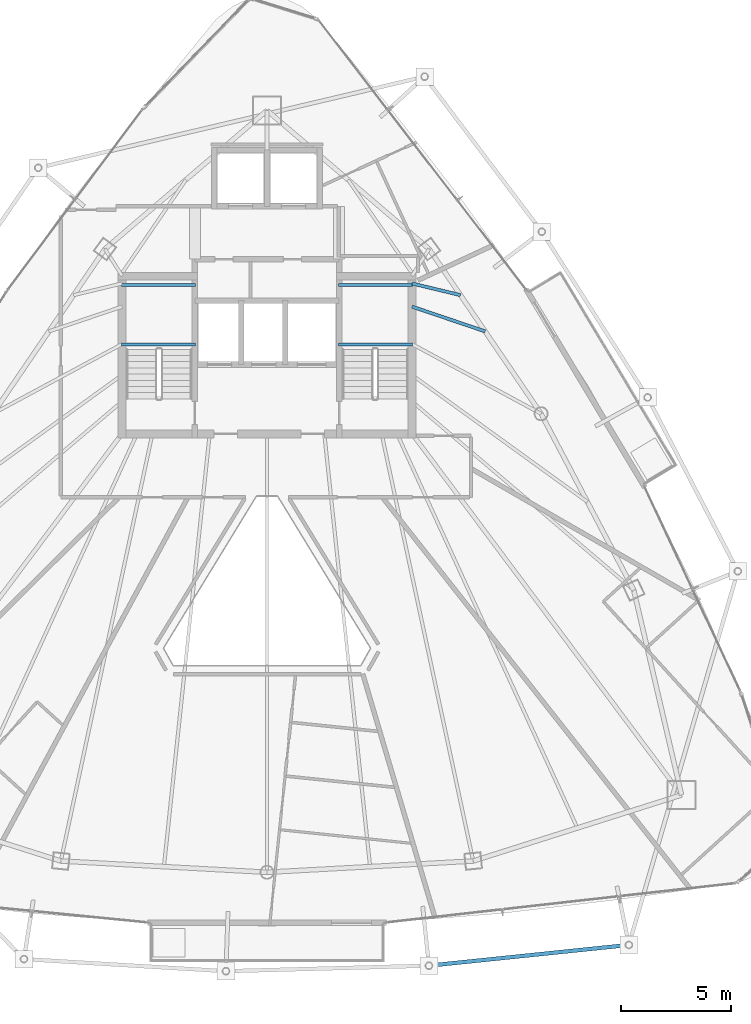
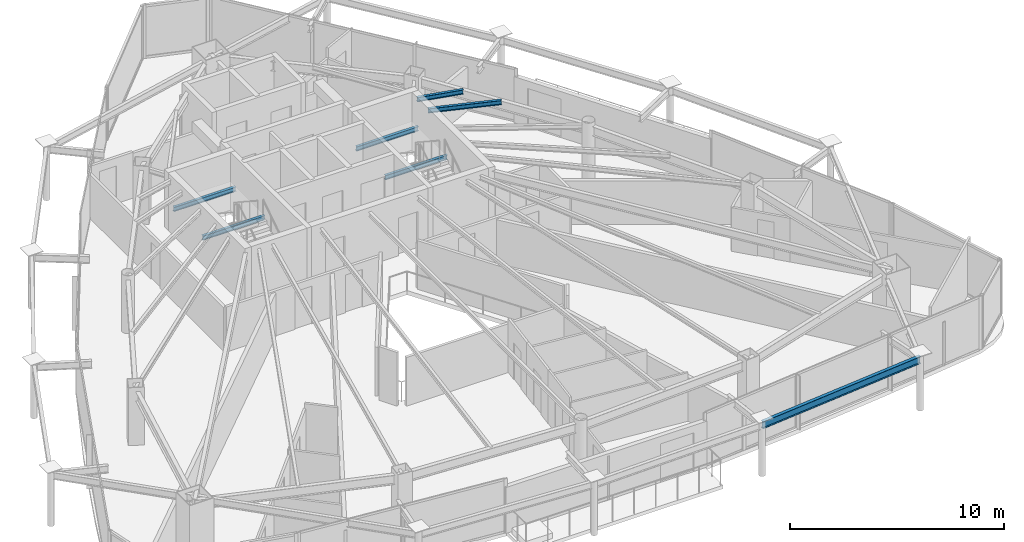
# One storey, part 14 of 34: 7 beams.
"""IFC4 building model written with IfcOpenShell, lengths in metres."""

from ifc_helpers import new_model, si_unit, direction, frame, origin, origin_2d, place, context, subcontext, project, spatial, i_section, extrude, material, material_profile, profile_set, type_object, element, save


model = new_model("IFC4")

# Units and contexts
model_context = context("Model", 3, precision=1e-05, world=origin(), true_north=direction((0.0, 1.0)))
body_context = subcontext(model_context, "Body", "Model", "MODEL_VIEW")
ifc_project = project(units=[si_unit("LENGTHUNIT", "METRE"), si_unit("AREAUNIT", "SQUARE_METRE"), si_unit("VOLUMEUNIT", "CUBIC_METRE"), si_unit("PLANEANGLEUNIT", "RADIAN"), si_unit("MASSUNIT", "GRAM", prefix="KILO")], contexts=[model_context])

# Site, building, storey
site_placement = place(None, origin())
site = spatial("IfcSite", under=ifc_project, at=site_placement, CompositionType="ELEMENT")
building_placement = place(site_placement, origin())
building = spatial("IfcBuilding", under=site, at=building_placement, Name="Orvanel Arch Residences", CompositionType="ELEMENT")
storey_placement = place(building_placement, frame((0.0, 0.0, 203.0)))
storey = spatial("IfcBuildingStorey", under=building, at=storey_placement, Name="L57", CompositionType="ELEMENT", Elevation=203.0)

# Beams
ifc_material = material(Name="Structural steel AS/NZS 3679.1 Grade 300 (300 MPa)", Category="steel")
ifc_material_profile_1 = material_profile(ifc_material, i_section(OverallWidth=0.14599609375, OverallDepth=0.251953125, WebThickness=0.006103515625, FlangeThickness=0.008544921875, at=origin_2d()), Name="250UB31.4")
ifc_profile_set_1 = profile_set([ifc_material_profile_1], Name="Structural steel AS/NZS 3679.1 Grade 300 (300 MPa)")
beam_type_1 = type_object("IfcBeamType", Name="BJ-250UB", PredefinedType="JOIST", material=ifc_profile_set_1)
for number, where, z_axis, x_axis, name in (
    (1, (26.39990234375, 30.780029296875, 1.323974609375), (1.0, 0.0, 0.0), (0.0, 1.0, 0.0), "L57 ST-1 Half-Landing Support Beam 1.1"),
    (2, (26.39990234375, 33.47998046875, 1.323974609375), (1.0, 0.0, 0.0), (0.0, 1.0, 0.0), "L57 ST-1 Half-Landing Support Beam 1.2"),
    (3, (36.25, 30.780029296875, 1.323974609375), (1.0, 0.0, 0.0), (0.0, 1.0, 0.0), "L57 ST-2 Half-Landing Support Beam 1.1"),
    (4, (36.25, 33.47998046875, 1.323974609375), (1.0, 0.0, 0.0), (0.0, 1.0, 0.0), "L57 ST-2 Half-Landing Support Beam 1.2"),
):
    element("IfcBeam", number, at=place(storey_placement, frame(where, z_axis=z_axis, x_axis=x_axis)), inside=storey, type_object=beam_type_1, Name=name, PredefinedType="JOIST", context=body_context, shape_type="SweptSolid", body=[
        extrude(i_section(OverallWidth=0.14599609375, OverallDepth=0.251953125, WebThickness=0.006103515625, FlangeThickness=0.008544921875, at=origin_2d()), origin(), (0.0, 0.0, 1.0), 3.35009765625),
    ])
beam_1_placement = place(storey_placement, frame((39.574951171875, 32.5, 2.93408203125), z_axis=(0.947159269453, -0.320763648641, 0.0), x_axis=(0.320763648641, 0.947159269453, 0.0)))
element("IfcBeam", 5, at=beam_1_placement, inside=storey, type_object=beam_type_1, Name="L57 ENE Wing Floor Joist", PredefinedType="JOIST", context=body_context, shape_type="SweptSolid", body=[
    extrude(i_section(OverallWidth=0.14599609375, OverallDepth=0.251953125, WebThickness=0.006103515625, FlangeThickness=0.008544921875, at=origin_2d()), origin(), (0.0, 0.0, 1.0), 3.501220703125),
])
beam_2_placement = place(storey_placement, frame((39.574951171875, 33.550048828125, 2.93408203125), z_axis=(0.972256833016, -0.23391590509, 0.0), x_axis=(0.23391590509, 0.972256833016, 0.0)))
element("IfcBeam", 6, at=beam_2_placement, inside=storey, type_object=beam_type_1, Name="L57 JADD4 Wing Floor Joist", PredefinedType="JOIST", context=body_context, shape_type="SweptSolid", body=[
    extrude(i_section(OverallWidth=0.14599609375, OverallDepth=0.251953125, WebThickness=0.006103515625, FlangeThickness=0.008544921875, at=origin_2d()), origin(), (0.0, 0.0, 1.0), 2.26171875),
])
ifc_material_profile_2 = material_profile(ifc_material, i_section(OverallWidth=0.177978515625, OverallDepth=0.406005859375, WebThickness=0.0078125, FlangeThickness=0.0126953125, at=origin_2d()), Name="410UB59.7")
ifc_profile_set_2 = profile_set([ifc_material_profile_2], Name="Structural steel AS/NZS 3679.1 Grade 300 (300 MPa)")
beam_type_2 = type_object("IfcBeamType", Name="OB-410UB-EXT", PredefinedType="SPANDREL", material=ifc_profile_set_2)
beam_3_placement = place(storey_placement, frame((40.343994140625, 2.60791015625, 2.85693359375), z_axis=(0.99467769965, 0.103035303747, 0.0), x_axis=(-0.103035303747, 0.99467769965, 0.0)))
element("IfcBeam", 7, at=beam_3_placement, inside=storey, type_object=beam_type_2, Name="L57 Outer Perimeter Floor Ring Beam 07", PredefinedType="SPANDREL", context=body_context, shape_type="SweptSolid", body=[
    extrude(i_section(OverallWidth=0.177978515625, OverallDepth=0.406005859375, WebThickness=0.0078125, FlangeThickness=0.0126953125, at=origin_2d()), origin(), (0.0, 0.0, 1.0), 9.115478515625),
])

save(model, "model.ifc")
